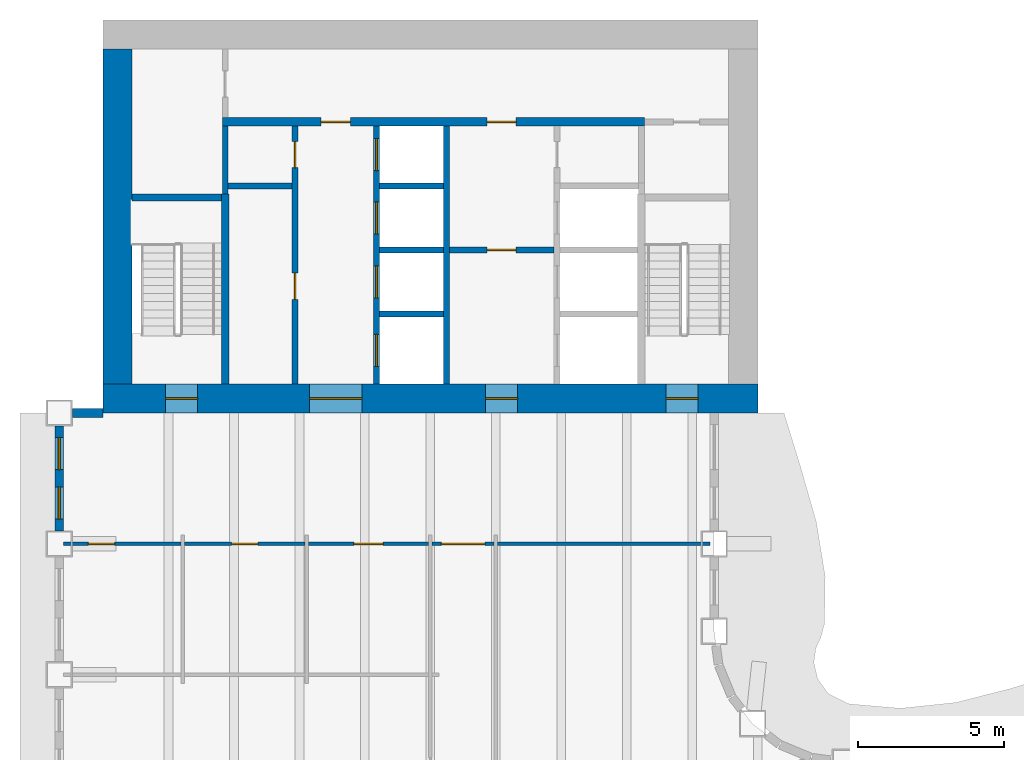
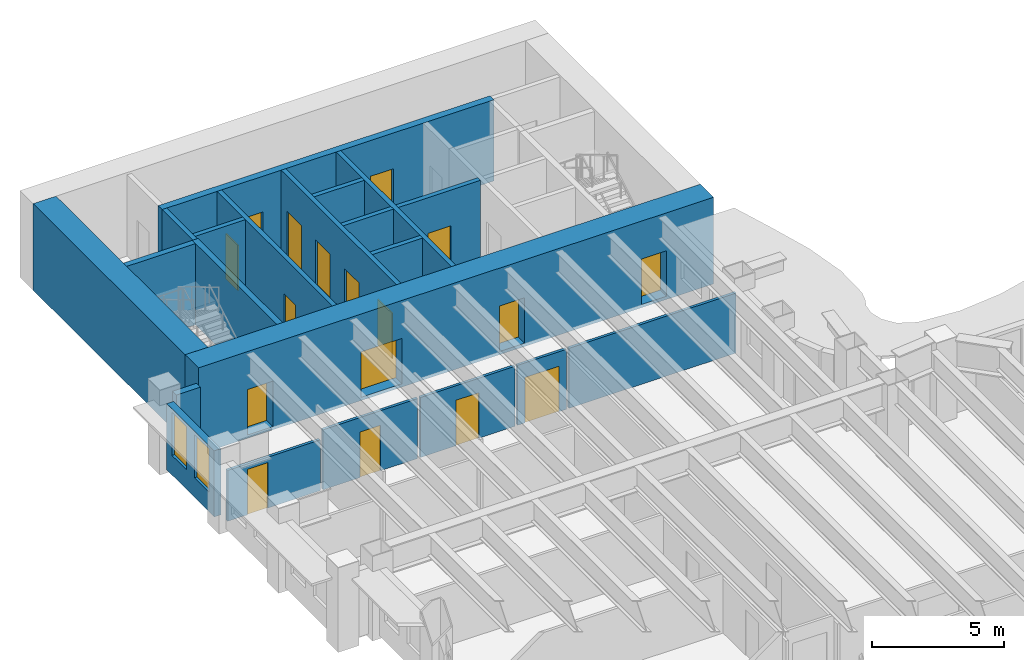
# One storey, part 8 of 16: 21 walls, 17 doors, 2 windows, 19 openings.
"""IFC4 building model written with IfcOpenShell, lengths in metres."""

import ifcopenshell
import ifcopenshell.guid

model = None  # the IFC model being written
_history = None  # IfcOwnerHistory: only IFC2X3 demands one
_inside = {}  # id of a spatial element -> (the spatial element, [elements in it])
_under = {}  # id of a project, library or spatial element -> (it, [spatial elements below it])
_declared = {}  # id of a project -> (the project, [libraries it declares])
_typed = {}  # id of a type object -> (the type object, [elements of that type])
_made_of = {}  # id of a material, layer set ... -> (it, [elements and type objects made of it])


def new_model(schema):
    """Start an empty IFC model of exactly this schema.

    Asked for "IFC4X3", IfcOpenShell would pick the latest addendum, in which some entities
    have other attributes; the version numbers below select the first issue.
    IFC2X3 requires an IfcOwnerHistory on every rooted entity: one is made here for all.
    """
    global model, _history
    if schema == "IFC4X3":
        model = ifcopenshell.file(schema_version=(4, 3, 0, 0))
    else:
        model = ifcopenshell.file(schema=schema)
    _inside.clear()
    _under.clear()
    _declared.clear()
    _typed.clear()
    _made_of.clear()
    _history = None
    if model.schema == "IFC2X3":
        org = make("IfcOrganization", Name="unknown")
        user = make(
            "IfcPersonAndOrganization",
            ThePerson=make("IfcPerson", FamilyName="unknown"),
            TheOrganization=org,
        )
        app = make(
            "IfcApplication",
            ApplicationDeveloper=org,
            Version="unknown",
            ApplicationFullName="unknown",
            ApplicationIdentifier="unknown",
        )
        _history = make(
            "IfcOwnerHistory",
            OwningUser=user,
            OwningApplication=app,
            ChangeAction="ADDED",
            CreationDate=0,
        )
    return model


def make(cls, **values):
    """One entity of the class cls with the attributes given. An attribute that is None is left unset."""
    return model.create_entity(
        cls, **{name: value for name, value in values.items() if value is not None}
    )


def rooted(cls, **values):
    """An entity with a GlobalId (a new one), such as an element, a storey or a relation."""
    return make(cls, GlobalId=ifcopenshell.guid.new(), OwnerHistory=_history, **values)


def si_unit(unit_type, name, prefix=None):
    """IfcSIUnit, for example si_unit("LENGTHUNIT", "METRE", prefix="MILLI")."""
    return make("IfcSIUnit", UnitType=unit_type, Prefix=prefix, Name=name)


def assignment(units):
    """IfcUnitAssignment: the units of a project."""
    return None if units is None else make("IfcUnitAssignment", Units=units)


def point(xyz):
    """IfcCartesianPoint."""
    return None if xyz is None else make("IfcCartesianPoint", Coordinates=xyz)


def direction(xyz):
    """IfcDirection."""
    return None if xyz is None else make("IfcDirection", DirectionRatios=xyz)


def frame(location, z_axis=None, x_axis=None):
    """IfcAxis2Placement3D, a coordinate frame: its origin and axes. An axis left out is left unset."""
    return make(
        "IfcAxis2Placement3D",
        Location=point(location),
        Axis=direction(z_axis),
        RefDirection=direction(x_axis),
    )


def frame_2d(location, x_axis=None):
    """IfcAxis2Placement2D, a coordinate frame in the plane: its origin and x axis."""
    return make(
        "IfcAxis2Placement2D", Location=point(location), RefDirection=direction(x_axis)
    )


def origin():
    """The frame at (0, 0, 0) with its axes left unset."""
    return frame((0.0, 0.0, 0.0))


def place(relative_to, where):
    """IfcLocalPlacement: puts the frame where relative to a parent placement (None: the world)."""
    return make(
        "IfcLocalPlacement", PlacementRelTo=relative_to, RelativePlacement=where
    )


def context(
    kind, dimensions, precision=None, world=None, true_north=None, identifier=None
):
    """IfcGeometricRepresentationContext, for example the 3D "Model" context."""
    return make(
        "IfcGeometricRepresentationContext",
        ContextIdentifier=identifier,
        ContextType=kind,
        CoordinateSpaceDimension=dimensions,
        Precision=precision,
        WorldCoordinateSystem=world,
        TrueNorth=true_north,
    )


def subcontext(parent, identifier, kind, view, scale=None):
    """IfcGeometricRepresentationSubContext, for example "Body" below "Model"."""
    return make(
        "IfcGeometricRepresentationSubContext",
        ContextIdentifier=identifier,
        ContextType=kind,
        ParentContext=parent,
        TargetScale=scale,
        TargetView=view,
    )


def project(units=None, contexts=None):
    """IfcProject with its units and contexts."""
    return rooted(
        "IfcProject",
        Name="project",
        RepresentationContexts=contexts,
        UnitsInContext=assignment(units),
    )


def spatial(cls, under=None, at=None, **own):
    """A site, building, storey or space (cls), placed at a placement, below another one or the project."""
    s = rooted(cls, ObjectPlacement=at, **own)
    if under is not None:
        _under.setdefault(under.id(), (under, []))[1].append(s)
    return s


def profile(cls, at=None, kind="AREA", **sizes):
    """A parametric profile (cls). Its sizes go by their IFC names, for example OverallWidth=200.0."""
    return make(cls, ProfileType=kind, Position=at, **sizes)


def rectangle(**sizes):
    """IfcRectangleProfileDef."""
    return profile("IfcRectangleProfileDef", **sizes)


def extrude(swept, where, along, depth):
    """IfcExtrudedAreaSolid: the profile swept, set in the frame where, extruded along a direction by depth."""
    return make(
        "IfcExtrudedAreaSolid",
        SweptArea=swept,
        Position=where,
        ExtrudedDirection=direction(along),
        Depth=depth,
    )


def shape(context_of_items, identifier, shape_type, items):
    """IfcShapeRepresentation: the items that make up one representation, for example the "Body"."""
    return make(
        "IfcShapeRepresentation",
        ContextOfItems=context_of_items,
        RepresentationIdentifier=identifier,
        RepresentationType=shape_type,
        Items=items,
    )


def material(Name=None, Category=None):
    """IfcMaterial."""
    return make("IfcMaterial", Name=Name, Category=Category)


def layer(
    of_material, thickness, ventilated=None, Name=None, Category=None, Priority=None
):
    """IfcMaterialLayer: one layer of a wall or slab, of a material (None: an air gap)."""
    return make(
        "IfcMaterialLayer",
        Material=of_material,
        LayerThickness=thickness,
        IsVentilated=ventilated,
        Name=Name,
        Category=Category,
        Priority=Priority,
    )


def layer_set(layers, Name=None):
    """IfcMaterialLayerSet."""
    return make("IfcMaterialLayerSet", MaterialLayers=layers, LayerSetName=Name)


def made_of(thing, what):
    """Note that an element or type object is made of a material, layer set ...; save() writes the relation."""
    if what is not None:
        _made_of.setdefault(what.id(), (what, []))[1].append(thing)
    return thing


def type_object(cls, material=None, **own):
    """A type object (cls), such as IfcWallType, which elements share."""
    return made_of(rooted(cls, **own), material)


def element(
    cls,
    number,
    at=None,
    inside=None,
    cuts=None,
    type_object=None,
    material=None,
    context=None,
    identifier="Body",
    shape_type=None,
    held_by="IfcProductDefinitionShape",
    body=None,
    shapes=None,
    **own,
):
    """One element of the class cls, such as IfcWall. Its Tag is "e" and its number.

    at: its placement. inside: the storey or other place that contains it. cuts: it is an
    opening in that element (IfcRelVoidsElement). A single representation is given by context,
    identifier, shape_type and body (its items); several are given by shapes. held_by: the class
    of the entity that holds the representations. save() writes the other relations.
    """
    e = rooted(cls, Tag="e%d" % number, ObjectPlacement=at, **own)
    if body is not None:
        shapes = [shape(context, identifier, shape_type, body)]
    if shapes is not None:
        e.Representation = make(held_by, Representations=shapes)
    if inside is not None:
        _inside.setdefault(inside.id(), (inside, []))[1].append(e)
    if cuts is not None:
        rooted(
            "IfcRelVoidsElement", RelatingBuildingElement=cuts, RelatedOpeningElement=e
        )
    if type_object is not None:
        _typed.setdefault(type_object.id(), (type_object, []))[1].append(e)
    return made_of(e, material)


def fill(opening, filler):
    """IfcRelFillsElement: the door or window that sits in an opening."""
    return rooted(
        "IfcRelFillsElement",
        RelatingOpeningElement=opening,
        RelatedBuildingElement=filler,
    )


def aggregate(whole, parts):
    """IfcRelAggregates: a whole, such as a stair, and the parts it consists of."""
    return rooted("IfcRelAggregates", RelatingObject=whole, RelatedObjects=parts)


def save(model, path):
    """Write the relations noted so far, then the file.

    IfcRelAggregates (storeys below a building ...), IfcRelContainedInSpatialStructure (elements
    in a storey), IfcRelDefinesByType, IfcRelAssociatesMaterial and IfcRelDeclares: one each for
    every whole, place, type object, material and project.
    """
    for whole, parts in _under.values():
        aggregate(whole, parts)
    for where, things in _inside.values():
        rooted(
            "IfcRelContainedInSpatialStructure",
            RelatedElements=things,
            RelatingStructure=where,
        )
    for kind, things in _typed.values():
        rooted("IfcRelDefinesByType", RelatedObjects=things, RelatingType=kind)
    for what, things in _made_of.values():
        rooted("IfcRelAssociatesMaterial", RelatedObjects=things, RelatingMaterial=what)
    for by, libraries in _declared.values():
        rooted("IfcRelDeclares", RelatingContext=by, RelatedDefinitions=libraries)
    model.write(path)


model = new_model("IFC4")

# Units and contexts
model_context = context("Model", 3, precision=1e-05, world=origin(), true_north=direction((0.0, 1.0)))
body_context = subcontext(model_context, "Body", "Model", "MODEL_VIEW")
ifc_project = project(units=[si_unit("LENGTHUNIT", "METRE"), si_unit("AREAUNIT", "SQUARE_METRE"), si_unit("VOLUMEUNIT", "CUBIC_METRE"), si_unit("PLANEANGLEUNIT", "RADIAN"), si_unit("MASSUNIT", "GRAM", prefix="KILO")], contexts=[model_context])

# Site, building, storey
site_placement = place(None, origin())
site = spatial("IfcSite", under=ifc_project, at=site_placement, CompositionType="ELEMENT")
building_placement = place(site_placement, origin())
building = spatial("IfcBuilding", under=site, at=building_placement, Name="Sennacour Bend Tower", CompositionType="ELEMENT")
storey_placement = place(building_placement, frame((0.0, 0.0, 183.0)))
storey = spatial("IfcBuildingStorey", under=building, at=storey_placement, Name="L42", CompositionType="ELEMENT", Elevation=183.0)

# Wall, openings, doors
ifc_material_1 = material(Name="Concrete C60/75", Category="concrete")
ifc_layer_1 = layer(ifc_material_1, 1.0, Name="Concrete C60/75", Category="concrete")
ifc_layer_set_1 = layer_set([ifc_layer_1], Name="Concrete C60/75")
wall_type_1 = type_object("IfcWallType", Name="Core wall 1000 C60/75", PredefinedType="SHEAR", material=ifc_layer_set_1)
wall_1_placement = place(storey_placement, frame((0.0, 36.5, -0.14990234375), z_axis=(0.0, 0.0, 1.0), x_axis=(1.0, 0.0, 0.0)))
wall_1 = element("IfcWall", 1, at=wall_1_placement, inside=storey, type_object=wall_type_1, Name="Core B wall L42 S", PredefinedType="SHEAR", context=body_context, shape_type="SweptSolid", body=[
    extrude(rectangle(XDim=22.5, YDim=1.0, at=frame_2d((11.25, 0.0))), origin(), (0.0, 0.0, 1.0), 4.0),
])
opening_1_placement = place(wall_1_placement, frame((7.10009765625, 0.0, 0.14990234375)))
opening_1 = element("IfcOpeningElement", 2, at=opening_1_placement, cuts=wall_1, Name="Opening CD", PredefinedType="OPENING", context=body_context, shape_type="SweptSolid", body=[
    extrude(rectangle(XDim=1.800048828125, YDim=2.10009765625, at=frame_2d((0.89990234375, 1.050048828125))), frame((0.0, 0.510009765625, 0.0), z_axis=(0.0, -1.0, 0.0), x_axis=(1.0, 0.0, 0.0)), (0.0, 0.0, 1.0), 1.02001953125),
])
opening_2_placement = place(wall_1_placement, frame((13.14990234375, 0.0, 0.14990234375)))
opening_2 = element("IfcOpeningElement", 3, at=opening_2_placement, cuts=wall_1, Name="Opening FD", PredefinedType="OPENING", context=body_context, shape_type="SweptSolid", body=[
    extrude(rectangle(XDim=1.10009765625, YDim=2.10009765625, at=frame_2d((0.550048828125, 1.050048828125))), frame((0.0, 0.510009765625, 0.0), z_axis=(0.0, -1.0, 0.0), x_axis=(1.0, 0.0, 0.0)), (0.0, 0.0, 1.0), 1.02001953125),
])
opening_3_placement = place(wall_1_placement, frame((2.14990234375, 0.0, 0.14990234375)))
opening_3 = element("IfcOpeningElement", 4, at=opening_3_placement, cuts=wall_1, Name="Opening SD", PredefinedType="OPENING", context=body_context, shape_type="SweptSolid", body=[
    extrude(rectangle(XDim=1.10009765625, YDim=2.10009765625, at=frame_2d((0.550048828125, 1.050048828125))), frame((0.0, 0.510009765625, 0.0), z_axis=(0.0, -1.0, 0.0), x_axis=(1.0, 0.0, 0.0)), (0.0, 0.0, 1.0), 1.02001953125),
])
opening_4_placement = place(wall_1_placement, frame((19.35009765625, 0.0, 0.14990234375)))
opening_4 = element("IfcOpeningElement", 5, at=opening_4_placement, cuts=wall_1, Name="Opening SD", PredefinedType="OPENING", context=body_context, shape_type="SweptSolid", body=[
    extrude(rectangle(XDim=1.10009765625, YDim=2.10009765625, at=frame_2d((0.550048828125, 1.050048828125))), frame((0.0, 0.510009765625, 0.0), z_axis=(0.0, -1.0, 0.0), x_axis=(1.0, 0.0, 0.0)), (0.0, 0.0, 1.0), 1.02001953125),
])
ifc_material_2 = material(Name="Painted steel", Category="steel")
door_type_1 = type_object("IfcDoorType", Name="DR-FFL-1100", OperationType="NOTDEFINED", PredefinedType="DOOR", material=ifc_material_2)
door_1_placement = place(opening_2_placement, origin())
door_1 = element("IfcDoor", 6, at=door_1_placement, inside=storey, type_object=door_type_1, Name="Door", OperationType="SINGLE_SWING_RIGHT", OverallHeight=2.10009765625, OverallWidth=1.10009765625, PredefinedType="DOOR", context=body_context, shape_type="SweptSolid", body=[
    extrude(rectangle(XDim=1.10009765625, YDim=2.10009765625, at=frame_2d((0.550048828125, 1.050048828125))), frame((0.0, 0.02490234375, 0.0), z_axis=(0.0, -1.0, 0.0), x_axis=(1.0, 0.0, 0.0)), (0.0, 0.0, 1.0), 0.050048828125),
])
fill(opening_2, door_1)
door_type_2 = type_object("IfcDoorType", Name="DR-LOBBY-1800", OperationType="NOTDEFINED", PredefinedType="DOOR", material=ifc_material_2)
door_2_placement = place(opening_1_placement, origin())
door_2 = element("IfcDoor", 7, at=door_2_placement, inside=storey, type_object=door_type_2, Name="Door", OperationType="DOUBLE_DOOR_SINGLE_SWING", OverallHeight=2.10009765625, OverallWidth=1.800048828125, PredefinedType="DOOR", context=body_context, shape_type="SweptSolid", body=[
    extrude(rectangle(XDim=1.800048828125, YDim=2.10009765625, at=frame_2d((0.89990234375, 1.050048828125))), frame((0.0, 0.02490234375, 0.0), z_axis=(0.0, -1.0, 0.0), x_axis=(1.0, 0.0, 0.0)), (0.0, 0.0, 1.0), 0.050048828125),
])
fill(opening_1, door_2)
door_type_3 = type_object("IfcDoorType", Name="DR-STAIR-1100", OperationType="NOTDEFINED", PredefinedType="DOOR", material=ifc_material_2)
door_3_placement = place(opening_3_placement, origin())
door_3 = element("IfcDoor", 8, at=door_3_placement, inside=storey, type_object=door_type_3, Name="Door", OperationType="SINGLE_SWING_LEFT", OverallHeight=2.10009765625, OverallWidth=1.10009765625, PredefinedType="DOOR", context=body_context, shape_type="SweptSolid", body=[
    extrude(rectangle(XDim=1.10009765625, YDim=2.10009765625, at=frame_2d((0.550048828125, 1.050048828125))), frame((0.0, 0.02490234375, 0.0), z_axis=(0.0, -1.0, 0.0), x_axis=(1.0, 0.0, 0.0)), (0.0, 0.0, 1.0), 0.050048828125),
])
fill(opening_3, door_3)
door_4_placement = place(opening_4_placement, origin())
door_4 = element("IfcDoor", 9, at=door_4_placement, inside=storey, type_object=door_type_3, Name="Door", OperationType="SINGLE_SWING_RIGHT", OverallHeight=2.10009765625, OverallWidth=1.10009765625, PredefinedType="DOOR", context=body_context, shape_type="SweptSolid", body=[
    extrude(rectangle(XDim=1.10009765625, YDim=2.10009765625, at=frame_2d((0.550048828125, 1.050048828125))), frame((0.0, 0.02490234375, 0.0), z_axis=(0.0, -1.0, 0.0), x_axis=(1.0, 0.0, 0.0)), (0.0, 0.0, 1.0), 0.050048828125),
])
fill(opening_4, door_4)

# Wall
wall_2_placement = place(storey_placement, frame((0.5, 37.0, -0.14990234375), z_axis=(0.0, 0.0, 1.0), x_axis=(0.0, 1.0, 0.0)))
element("IfcWall", 10, at=wall_2_placement, inside=storey, type_object=wall_type_1, Name="Core B wall L42 W", PredefinedType="SHEAR", context=body_context, shape_type="SweptSolid", body=[
    extrude(rectangle(XDim=11.5, YDim=1.0, at=frame_2d((5.75, 0.0))), origin(), (0.0, 0.0, 1.0), 4.0),
])

# Wall, opening, door
ifc_material_3 = material(Name="Plasterboard partition on steel studs", Category="steel")
ifc_layer_2 = layer(ifc_material_3, 0.1201171875, Name="Plasterboard partition on steel studs", Category="steel")
ifc_layer_set_2 = layer_set([ifc_layer_2], Name="Plasterboard partition on steel studs")
wall_type_2 = type_object("IfcWallType", Name="Partition 120", PredefinedType="PARTITIONING", material=ifc_layer_set_2)
wall_3_placement = place(storey_placement, frame((-1.35009765625, 31.5, 0.0), z_axis=(0.0, 0.0, 1.0), x_axis=(1.0, 0.0, 0.0)))
wall_3 = element("IfcWall", 11, at=wall_3_placement, inside=storey, type_object=wall_type_2, Name="P-L42-W077aa", PredefinedType="PARTITIONING", context=body_context, shape_type="SweptSolid", body=[
    extrude(rectangle(XDim=4.0400390625, YDim=0.1201171875, at=frame_2d((2.02001953125, 0.0))), origin(), (0.0, 0.0, 1.0), 2.35009765625),
])
opening_5_placement = place(wall_3_placement, frame((0.85009765625, 0.0, 0.0)))
opening_5 = element("IfcOpeningElement", 12, at=opening_5_placement, cuts=wall_3, Name="Opening WD", PredefinedType="OPENING", context=body_context, shape_type="SweptSolid", body=[
    extrude(rectangle(XDim=0.89990234375, YDim=2.10009765625, at=frame_2d((0.449951171875, 1.050048828125))), frame((0.0, 0.070068359375, 0.0), z_axis=(0.0, -1.0, 0.0), x_axis=(1.0, 0.0, 0.0)), (0.0, 0.0, 1.0), 0.14013671875),
])
ifc_material_4 = material(Name="Timber", Category="wood")
door_type_4 = type_object("IfcDoorType", Name="DR-WC-900", OperationType="NOTDEFINED", PredefinedType="DOOR", material=ifc_material_4)
door_5_placement = place(opening_5_placement, origin())
door_5 = element("IfcDoor", 13, at=door_5_placement, inside=storey, type_object=door_type_4, Name="Door", OperationType="SINGLE_SWING_LEFT", OverallHeight=2.10009765625, OverallWidth=0.89990234375, PredefinedType="DOOR", context=body_context, shape_type="SweptSolid", body=[
    extrude(rectangle(XDim=0.89990234375, YDim=2.10009765625, at=frame_2d((0.449951171875, 1.050048828125))), frame((0.0, 0.02490234375, 0.0), z_axis=(0.0, -1.0, 0.0), x_axis=(1.0, 0.0, 0.0)), (0.0, 0.0, 1.0), 0.050048828125),
])
fill(opening_5, door_5)

wall_4_placement = place(storey_placement, frame((2.81005859375, 31.5, 0.0), z_axis=(0.0, 0.0, 1.0), x_axis=(1.0, 0.0, 0.0)))
wall_4 = element("IfcWall", 14, at=wall_4_placement, inside=storey, type_object=wall_type_2, Name="P-L42-W077ab", PredefinedType="PARTITIONING", context=body_context, shape_type="SweptSolid", body=[
    extrude(rectangle(XDim=4.1298828125, YDim=0.1201171875, at=frame_2d((2.06494140625, 0.0))), origin(), (0.0, 0.0, 1.0), 2.77001953125),
])
opening_6_placement = place(wall_4_placement, frame((1.614990234375, 0.0, 0.0)))
opening_6 = element("IfcOpeningElement", 15, at=opening_6_placement, cuts=wall_4, Name="Opening WD", PredefinedType="OPENING", context=body_context, shape_type="SweptSolid", body=[
    extrude(rectangle(XDim=0.89990234375, YDim=2.10009765625, at=frame_2d((0.449951171875, 1.050048828125))), frame((0.0, 0.070068359375, 0.0), z_axis=(0.0, -1.0, 0.0), x_axis=(1.0, 0.0, 0.0)), (0.0, 0.0, 1.0), 0.14013671875),
])
door_6_placement = place(opening_6_placement, origin())
door_6 = element("IfcDoor", 16, at=door_6_placement, inside=storey, type_object=door_type_4, Name="Door", OperationType="SINGLE_SWING_LEFT", OverallHeight=2.10009765625, OverallWidth=0.89990234375, PredefinedType="DOOR", context=body_context, shape_type="SweptSolid", body=[
    extrude(rectangle(XDim=0.89990234375, YDim=2.10009765625, at=frame_2d((0.449951171875, 1.050048828125))), frame((0.0, 0.02490234375, 0.0), z_axis=(0.0, -1.0, 0.0), x_axis=(1.0, 0.0, 0.0)), (0.0, 0.0, 1.0), 0.050048828125),
])
fill(opening_6, door_6)

wall_5_placement = place(storey_placement, frame((7.06005859375, 31.5, 0.0), z_axis=(0.0, 0.0, 1.0), x_axis=(1.0, 0.0, 0.0)))
wall_5 = element("IfcWall", 17, at=wall_5_placement, inside=storey, type_object=wall_type_2, Name="P-L42-W077ac", PredefinedType="PARTITIONING", context=body_context, shape_type="SweptSolid", body=[
    extrude(rectangle(XDim=4.1298828125, YDim=0.1201171875, at=frame_2d((2.06494140625, 0.0))), origin(), (0.0, 0.0, 1.0), 2.77001953125),
])
opening_7_placement = place(wall_5_placement, frame((1.56494140625, 0.0, 0.0)))
opening_7 = element("IfcOpeningElement", 18, at=opening_7_placement, cuts=wall_5, Name="Opening AD", PredefinedType="OPENING", context=body_context, shape_type="SweptSolid", body=[
    extrude(rectangle(XDim=1.0, YDim=2.10009765625, at=frame_2d((0.5, 1.050048828125))), frame((0.0, 0.070068359375, 0.0), z_axis=(0.0, -1.0, 0.0), x_axis=(1.0, 0.0, 0.0)), (0.0, 0.0, 1.0), 0.14013671875),
])
door_type_5 = type_object("IfcDoorType", Name="DR-ACC-WC-1000", OperationType="NOTDEFINED", PredefinedType="DOOR", material=ifc_material_4)
door_7_placement = place(opening_7_placement, origin())
door_7 = element("IfcDoor", 19, at=door_7_placement, inside=storey, type_object=door_type_5, Name="Door", OperationType="SINGLE_SWING_LEFT", OverallHeight=2.10009765625, OverallWidth=1.0, PredefinedType="DOOR", context=body_context, shape_type="SweptSolid", body=[
    extrude(rectangle(XDim=1.0, YDim=2.10009765625, at=frame_2d((0.5, 1.050048828125))), frame((0.0, 0.02490234375, 0.0), z_axis=(0.0, -1.0, 0.0), x_axis=(1.0, 0.0, 0.0)), (0.0, 0.0, 1.0), 0.050048828125),
])
fill(opening_7, door_7)

# Wall
wall_6_placement = place(storey_placement, frame((13.56005859375, 31.5, 0.0), z_axis=(0.0, 0.0, 1.0), x_axis=(1.0, 0.0, 0.0)))
element("IfcWall", 20, at=wall_6_placement, inside=storey, type_object=wall_type_2, Name="P-L42-W077ae", PredefinedType="PARTITIONING", context=body_context, shape_type="SweptSolid", body=[
    extrude(rectangle(XDim=7.2900390625, YDim=0.1201171875, at=frame_2d((3.64501953125, 0.0))), origin(), (0.0, 0.0, 1.0), 2.77001953125),
])

# Wall, opening, door
ifc_layer_3 = layer(ifc_material_3, 0.1201171875, Name="Plasterboard partition on steel studs", Category="steel")
ifc_layer_set_3 = layer_set([ifc_layer_3], Name="Plasterboard partition on steel studs")
wall_type_3 = type_object("IfcWallType", Name="Partition 120 EI 30", PredefinedType="PARTITIONING", material=ifc_layer_set_3)
wall_7_placement = place(storey_placement, frame((11.31005859375, 31.5, 0.0), z_axis=(0.0, 0.0, 1.0), x_axis=(1.0, 0.0, 0.0)))
wall_7 = element("IfcWall", 21, at=wall_7_placement, inside=storey, type_object=wall_type_3, Name="P-L42-W077ad", PredefinedType="PARTITIONING", context=body_context, shape_type="SweptSolid", body=[
    extrude(rectangle(XDim=2.1298828125, YDim=0.1201171875, at=frame_2d((1.06494140625, 0.0))), origin(), (0.0, 0.0, 1.0), 2.77001953125),
])
opening_8_placement = place(wall_7_placement, frame((0.31494140625, 0.0, 0.0)))
opening_8 = element("IfcOpeningElement", 22, at=opening_8_placement, cuts=wall_7, Name="Opening KD", PredefinedType="OPENING", context=body_context, shape_type="SweptSolid", body=[
    extrude(rectangle(XDim=1.5, YDim=2.10009765625, at=frame_2d((0.75, 1.050048828125))), frame((0.0, 0.070068359375, 0.0), z_axis=(0.0, -1.0, 0.0), x_axis=(1.0, 0.0, 0.0)), (0.0, 0.0, 1.0), 0.14013671875),
])
door_type_6 = type_object("IfcDoorType", Name="DR-CORRIDOR-1500", OperationType="NOTDEFINED", PredefinedType="DOOR", material=ifc_material_2)
door_8_placement = place(opening_8_placement, origin())
door_8 = element("IfcDoor", 23, at=door_8_placement, inside=storey, type_object=door_type_6, Name="Door", OperationType="SINGLE_SWING_LEFT", OverallHeight=2.10009765625, OverallWidth=1.5, PredefinedType="DOOR", context=body_context, shape_type="SweptSolid", body=[
    extrude(rectangle(XDim=1.5, YDim=2.10009765625, at=frame_2d((0.75, 1.050048828125))), frame((0.0, 0.02490234375, 0.0), z_axis=(0.0, -1.0, 0.0), x_axis=(1.0, 0.0, 0.0)), (0.0, 0.0, 1.0), 0.050048828125),
])
fill(opening_8, door_8)

# Wall
ifc_material_5 = material(Name="Fire-rated plasterboard partition on steel studs", Category="steel")
ifc_layer_4 = layer(ifc_material_5, 0.199951171875, Name="Fire-rated plasterboard partition on steel studs", Category="steel")
ifc_layer_set_4 = layer_set([ifc_layer_4], Name="Fire-rated plasterboard partition on steel studs")
wall_type_4 = type_object("IfcWallType", Name="Rated partition 200", PredefinedType="PARTITIONING", material=ifc_layer_set_4)
wall_8_placement = place(storey_placement, frame((4.199951171875, 43.52490234375, 0.0), z_axis=(0.0, 0.0, 1.0), x_axis=(0.0, 1.0, 0.0)))
element("IfcWall", 24, at=wall_8_placement, inside=storey, type_object=wall_type_4, Name="P-L42-W006a", PredefinedType="PARTITIONING", context=body_context, shape_type="SweptSolid", body=[
    extrude(rectangle(XDim=2.3251953125, YDim=0.199951171875, at=frame_2d((1.16259765625, 0.0))), origin(), (0.0, 0.0, 1.0), 3.75),
])

# Wall, openings, doors
wall_9_placement = place(storey_placement, frame((6.60009765625, 37.0, 0.0), z_axis=(0.0, 0.0, 1.0), x_axis=(0.0, 1.0, 0.0)))
wall_9 = element("IfcWall", 25, at=wall_9_placement, inside=storey, type_object=wall_type_4, Name="P-L42-W007", PredefinedType="PARTITIONING", context=body_context, shape_type="SweptSolid", body=[
    extrude(rectangle(XDim=8.85009765625, YDim=0.199951171875, at=frame_2d((4.425048828125, 0.0))), origin(), (0.0, 0.0, 1.0), 3.75),
])
opening_9_placement = place(wall_9_placement, frame((2.89990234375, 0.0, 0.0)))
opening_9 = element("IfcOpeningElement", 26, at=opening_9_placement, cuts=wall_9, Name="Opening SV", PredefinedType="OPENING", context=body_context, shape_type="SweptSolid", body=[
    extrude(rectangle(XDim=0.89990234375, YDim=2.10009765625, at=frame_2d((0.449951171875, 1.050048828125))), frame((0.0, 0.10986328125, 0.0), z_axis=(0.0, -1.0, 0.0), x_axis=(1.0, 0.0, 0.0)), (0.0, 0.0, 1.0), 0.219970703125),
])
opening_10_placement = place(wall_9_placement, frame((7.425048828125, 0.0, 0.0)))
opening_10 = element("IfcOpeningElement", 27, at=opening_10_placement, cuts=wall_9, Name="Opening SV", PredefinedType="OPENING", context=body_context, shape_type="SweptSolid", body=[
    extrude(rectangle(XDim=0.89990234375, YDim=2.10009765625, at=frame_2d((0.449951171875, 1.050048828125))), frame((0.0, 0.10986328125, 0.0), z_axis=(0.0, -1.0, 0.0), x_axis=(1.0, 0.0, 0.0)), (0.0, 0.0, 1.0), 0.219970703125),
])
door_type_7 = type_object("IfcDoorType", Name="DR-SERVICE-900", OperationType="NOTDEFINED", PredefinedType="DOOR", material=ifc_material_2)
door_9_placement = place(opening_9_placement, origin())
door_9 = element("IfcDoor", 28, at=door_9_placement, inside=storey, type_object=door_type_7, Name="Door", OperationType="SINGLE_SWING_LEFT", OverallHeight=2.10009765625, OverallWidth=0.89990234375, PredefinedType="DOOR", context=body_context, shape_type="SweptSolid", body=[
    extrude(rectangle(XDim=0.89990234375, YDim=2.10009765625, at=frame_2d((0.449951171875, 1.050048828125))), frame((0.0, 0.02490234375, 0.0), z_axis=(0.0, -1.0, 0.0), x_axis=(1.0, 0.0, 0.0)), (0.0, 0.0, 1.0), 0.050048828125),
])
fill(opening_9, door_9)
door_10_placement = place(opening_10_placement, origin())
door_10 = element("IfcDoor", 29, at=door_10_placement, inside=storey, type_object=door_type_7, Name="Door", OperationType="SINGLE_SWING_RIGHT", OverallHeight=2.10009765625, OverallWidth=0.89990234375, PredefinedType="DOOR", context=body_context, shape_type="SweptSolid", body=[
    extrude(rectangle(XDim=0.89990234375, YDim=2.10009765625, at=frame_2d((0.449951171875, 1.050048828125))), frame((0.0, 0.02490234375, 0.0), z_axis=(0.0, -1.0, 0.0), x_axis=(1.0, 0.0, 0.0)), (0.0, 0.0, 1.0), 0.050048828125),
])
fill(opening_10, door_10)

# Wall
wall_10_placement = place(storey_placement, frame((4.300048828125, 43.800048828125, 0.0), z_axis=(0.0, 0.0, 1.0), x_axis=(1.0, 0.0, 0.0)))
element("IfcWall", 30, at=wall_10_placement, inside=storey, type_object=wall_type_4, Name="P-L42-W086", PredefinedType="PARTITIONING", context=body_context, shape_type="SweptSolid", body=[
    extrude(rectangle(XDim=2.199951171875, YDim=0.199951171875, at=frame_2d((1.10009765625, 0.0))), origin(), (0.0, 0.0, 1.0), 3.75),
])

# Wall, opening, door
ifc_layer_5 = layer(ifc_material_5, 0.199951171875, Name="Fire-rated plasterboard partition on steel studs", Category="steel")
ifc_layer_set_5 = layer_set([ifc_layer_5], Name="Fire-rated plasterboard partition on steel studs")
wall_type_5 = type_object("IfcWallType", Name="Rated partition 200 EI 90", PredefinedType="PARTITIONING", material=ifc_layer_set_5)
wall_11_placement = place(storey_placement, frame((11.89990234375, 41.60009765625, 0.0), z_axis=(0.0, 0.0, 1.0), x_axis=(1.0, 0.0, 0.0)))
wall_11 = element("IfcWall", 31, at=wall_11_placement, inside=storey, type_object=wall_type_5, Name="P-L42-W082", PredefinedType="PARTITIONING", context=body_context, shape_type="SweptSolid", body=[
    extrude(rectangle(XDim=3.60009765625, YDim=0.199951171875, at=frame_2d((1.800048828125, 0.0))), origin(), (0.0, 0.0, 1.0), 3.75),
])
opening_11_placement = place(wall_11_placement, frame((1.300048828125, 0.0, 0.0)))
opening_11 = element("IfcOpeningElement", 32, at=opening_11_placement, cuts=wall_11, Name="Opening FD2", PredefinedType="OPENING", context=body_context, shape_type="SweptSolid", body=[
    extrude(rectangle(XDim=1.0, YDim=2.10009765625, at=frame_2d((0.5, 1.050048828125))), frame((0.0, 0.10986328125, 0.0), z_axis=(0.0, -1.0, 0.0), x_axis=(1.0, 0.0, 0.0)), (0.0, 0.0, 1.0), 0.219970703125),
])
door_type_8 = type_object("IfcDoorType", Name="DR-FFL-1000", OperationType="NOTDEFINED", PredefinedType="DOOR", material=ifc_material_2)
door_11_placement = place(opening_11_placement, origin())
door_11 = element("IfcDoor", 33, at=door_11_placement, inside=storey, type_object=door_type_8, Name="Door", OperationType="SINGLE_SWING_RIGHT", OverallHeight=2.10009765625, OverallWidth=1.0, PredefinedType="DOOR", context=body_context, shape_type="SweptSolid", body=[
    extrude(rectangle(XDim=1.0, YDim=2.10009765625, at=frame_2d((0.5, 1.050048828125))), frame((0.0, 0.02490234375, 0.0), z_axis=(0.0, -1.0, 0.0), x_axis=(1.0, 0.0, 0.0)), (0.0, 0.0, 1.0), 0.050048828125),
])
fill(opening_11, door_11)

# Wall
ifc_material_6 = material(Name="Warm limestone cladding", Category="masonry")
ifc_layer_6 = layer(ifc_material_6, 0.050048828125, Name="Warm limestone cladding", Category="masonry")
ifc_material_7 = material(Name="Precast concrete C40/50", Category="concrete")
ifc_layer_7 = layer(ifc_material_7, 0.25, Name="Precast concrete C40/50", Category="concrete")
ifc_layer_set_6 = layer_set([ifc_layer_6, ifc_layer_7], Name="Precast concrete C40/50 with limestone cladding")
wall_type_6 = type_object("IfcWallType", Name="STONE-CLAD PRECAST SPANDREL 300", PredefinedType="STANDARD", material=ifc_layer_set_6)
wall_12_placement = place(storey_placement, frame((0.0, 36.0, 0.0), z_axis=(0.0, 0.0, 1.0), x_axis=(-1.0, 0.0, 0.0)))
element("IfcWall", 34, at=wall_12_placement, inside=storey, type_object=wall_type_6, Name="Stone spandrel and pier wall L42 20.00", PredefinedType="STANDARD", context=body_context, shape_type="SweptSolid", body=[
    extrude(rectangle(XDim=1.050048828125, YDim=0.300048828125, at=frame_2d((0.52490234375, 0.0))), origin(), (0.0, 0.0, 1.0), 3.049072265625),
])

# Wall, openings, windows
wall_13_placement = place(storey_placement, frame((-1.5, 35.550048828125, 0.0), z_axis=(0.0, 0.0, 1.0), x_axis=(0.0, -1.0, 0.0)))
wall_13 = element("IfcWall", 35, at=wall_13_placement, inside=storey, type_object=wall_type_6, Name="Stone spandrel and pier wall L42 21.00", PredefinedType="STANDARD", context=body_context, shape_type="SweptSolid", body=[
    extrude(rectangle(XDim=3.60009765625, YDim=0.300048828125, at=frame_2d((1.800048828125, 0.0))), origin(), (0.0, 0.0, 1.0), 3.049072265625),
])
opening_12_placement = place(wall_13_placement, frame((0.39990234375, 0.0, 0.89990234375)))
opening_12 = element("IfcOpeningElement", 36, at=opening_12_placement, cuts=wall_13, Name="Opening W19", PredefinedType="OPENING", context=body_context, shape_type="SweptSolid", body=[
    extrude(rectangle(XDim=1.10009765625, YDim=2.0, at=frame_2d((0.550048828125, 1.0))), frame((0.0, 0.16015625, 0.0), z_axis=(0.0, -1.0, 0.0), x_axis=(1.0, 0.0, 0.0)), (0.0, 0.0, 1.0), 0.320068359375),
])
opening_13_placement = place(wall_13_placement, frame((2.10009765625, 0.0, 0.89990234375)))
opening_13 = element("IfcOpeningElement", 37, at=opening_13_placement, cuts=wall_13, Name="Opening W19", PredefinedType="OPENING", context=body_context, shape_type="SweptSolid", body=[
    extrude(rectangle(XDim=1.10009765625, YDim=2.0, at=frame_2d((0.550048828125, 1.0))), frame((0.0, 0.16015625, 0.0), z_axis=(0.0, -1.0, 0.0), x_axis=(1.0, 0.0, 0.0)), (0.0, 0.0, 1.0), 0.320068359375),
])
ifc_material_8 = material(Name="Clear low-emissivity glass", Category="glass")
window_type = type_object("IfcWindowType", Name="WIN-RIBBON-1100x2000", PartitioningType="SINGLE_PANEL", PredefinedType="WINDOW", material=ifc_material_8)
window_1_placement = place(opening_12_placement, origin())
window_1 = element("IfcWindow", 38, at=window_1_placement, inside=storey, type_object=window_type, Name="Ribbon window L42 21.00.0", OverallHeight=2.0, OverallWidth=1.10009765625, PartitioningType="SINGLE_PANEL", PredefinedType="WINDOW", context=body_context, shape_type="SweptSolid", body=[
    extrude(rectangle(XDim=1.10009765625, YDim=2.0, at=frame_2d((0.550048828125, 1.0))), frame((0.0, 0.030029296875, 0.0), z_axis=(0.0, -1.0, 0.0), x_axis=(1.0, 0.0, 0.0)), (0.0, 0.0, 1.0), 0.06005859375),
])
fill(opening_12, window_1)
window_2_placement = place(opening_13_placement, origin())
window_2 = element("IfcWindow", 39, at=window_2_placement, inside=storey, type_object=window_type, Name="Ribbon window L42 21.00.1", OverallHeight=2.0, OverallWidth=1.10009765625, PartitioningType="SINGLE_PANEL", PredefinedType="WINDOW", context=body_context, shape_type="SweptSolid", body=[
    extrude(rectangle(XDim=1.10009765625, YDim=2.0, at=frame_2d((0.550048828125, 1.0))), frame((0.0, 0.030029296875, 0.0), z_axis=(0.0, -1.0, 0.0), x_axis=(1.0, 0.0, 0.0)), (0.0, 0.0, 1.0), 0.06005859375),
])
fill(opening_13, window_2)

# Wall, openings, doors
ifc_material_9 = material(Name="Concrete C50/60", Category="concrete")
ifc_layer_8 = layer(ifc_material_9, 0.199951171875, Name="Concrete C50/60", Category="concrete")
ifc_layer_set_7 = layer_set([ifc_layer_8], Name="Concrete C50/60")
wall_type_7 = type_object("IfcWallType", Name="Shaft wall 200", PredefinedType="SOLIDWALL", material=ifc_layer_set_7)
wall_14_placement = place(storey_placement, frame((9.39990234375, 37.0, 0.0), z_axis=(0.0, 0.0, 1.0), x_axis=(0.0, 1.0, 0.0)))
wall_14 = element("IfcWall", 40, at=wall_14_placement, inside=storey, type_object=wall_type_7, Name="P-L42-W010", PredefinedType="SOLIDWALL", context=body_context, shape_type="SweptSolid", body=[
    extrude(rectangle(XDim=8.85009765625, YDim=0.199951171875, at=frame_2d((4.425048828125, 0.0))), origin(), (0.0, 0.0, 1.0), 3.75),
])
opening_14_placement = place(wall_14_placement, frame((0.60009765625, 0.0, 0.011962890625)))
opening_14 = element("IfcOpeningElement", 41, at=opening_14_placement, cuts=wall_14, Name="Opening LD", PredefinedType="OPENING", context=body_context, shape_type="SweptSolid", body=[
    extrude(rectangle(XDim=1.10009765625, YDim=2.10009765625, at=frame_2d((0.550048828125, 1.050048828125))), frame((0.0, 0.10986328125, 0.0), z_axis=(0.0, -1.0, 0.0), x_axis=(1.0, 0.0, 0.0)), (0.0, 0.0, 1.0), 0.219970703125),
])
opening_15_placement = place(wall_14_placement, frame((2.949951171875, 0.0, 0.011962890625)))
opening_15 = element("IfcOpeningElement", 42, at=opening_15_placement, cuts=wall_14, Name="Opening LD", PredefinedType="OPENING", context=body_context, shape_type="SweptSolid", body=[
    extrude(rectangle(XDim=1.10009765625, YDim=2.10009765625, at=frame_2d((0.550048828125, 1.050048828125))), frame((0.0, 0.10986328125, 0.0), z_axis=(0.0, -1.0, 0.0), x_axis=(1.0, 0.0, 0.0)), (0.0, 0.0, 1.0), 0.219970703125),
])
opening_16_placement = place(wall_14_placement, frame((5.14990234375, 0.0, 0.011962890625)))
opening_16 = element("IfcOpeningElement", 43, at=opening_16_placement, cuts=wall_14, Name="Opening LD", PredefinedType="OPENING", context=body_context, shape_type="SweptSolid", body=[
    extrude(rectangle(XDim=1.10009765625, YDim=2.10009765625, at=frame_2d((0.550048828125, 1.050048828125))), frame((0.0, 0.10986328125, 0.0), z_axis=(0.0, -1.0, 0.0), x_axis=(1.0, 0.0, 0.0)), (0.0, 0.0, 1.0), 0.219970703125),
])
opening_17_placement = place(wall_14_placement, frame((7.324951171875, 0.0, 0.011962890625)))
opening_17 = element("IfcOpeningElement", 44, at=opening_17_placement, cuts=wall_14, Name="Opening LD", PredefinedType="OPENING", context=body_context, shape_type="SweptSolid", body=[
    extrude(rectangle(XDim=1.10009765625, YDim=2.10009765625, at=frame_2d((0.550048828125, 1.050048828125))), frame((0.0, 0.10986328125, 0.0), z_axis=(0.0, -1.0, 0.0), x_axis=(1.0, 0.0, 0.0)), (0.0, 0.0, 1.0), 0.219970703125),
])
ifc_material_10 = material(Name="Stainless steel", Category="steel")
door_type_9 = type_object("IfcDoorType", Name="DR-LANDING-1100", OperationType="NOTDEFINED", PredefinedType="DOOR", material=ifc_material_10)
door_12_placement = place(opening_14_placement, origin())
door_12 = element("IfcDoor", 45, at=door_12_placement, inside=storey, type_object=door_type_9, Name="Lift landing door MB1", OperationType="SLIDING_TO_RIGHT", OverallHeight=2.10009765625, OverallWidth=1.10009765625, PredefinedType="DOOR", context=body_context, shape_type="SweptSolid", body=[
    extrude(rectangle(XDim=1.10009765625, YDim=2.10009765625, at=frame_2d((0.550048828125, 1.050048828125))), frame((0.0, 0.02490234375, 0.0), z_axis=(0.0, -1.0, 0.0), x_axis=(1.0, 0.0, 0.0)), (0.0, 0.0, 1.0), 0.050048828125),
])
fill(opening_14, door_12)
door_13_placement = place(opening_15_placement, origin())
door_13 = element("IfcDoor", 46, at=door_13_placement, inside=storey, type_object=door_type_9, Name="Lift landing door MB2", OperationType="SLIDING_TO_LEFT", OverallHeight=2.10009765625, OverallWidth=1.10009765625, PredefinedType="DOOR", context=body_context, shape_type="SweptSolid", body=[
    extrude(rectangle(XDim=1.10009765625, YDim=2.10009765625, at=frame_2d((0.550048828125, 1.050048828125))), frame((0.0, 0.02490234375, 0.0), z_axis=(0.0, -1.0, 0.0), x_axis=(1.0, 0.0, 0.0)), (0.0, 0.0, 1.0), 0.050048828125),
])
fill(opening_15, door_13)
door_14_placement = place(opening_16_placement, origin())
door_14 = element("IfcDoor", 47, at=door_14_placement, inside=storey, type_object=door_type_9, Name="Lift landing door MB3", OperationType="SLIDING_TO_RIGHT", OverallHeight=2.10009765625, OverallWidth=1.10009765625, PredefinedType="DOOR", context=body_context, shape_type="SweptSolid", body=[
    extrude(rectangle(XDim=1.10009765625, YDim=2.10009765625, at=frame_2d((0.550048828125, 1.050048828125))), frame((0.0, 0.02490234375, 0.0), z_axis=(0.0, -1.0, 0.0), x_axis=(1.0, 0.0, 0.0)), (0.0, 0.0, 1.0), 0.050048828125),
])
fill(opening_16, door_14)
door_15_placement = place(opening_17_placement, origin())
door_15 = element("IfcDoor", 48, at=door_15_placement, inside=storey, type_object=door_type_9, Name="Lift landing door MB4", OperationType="SLIDING_TO_LEFT", OverallHeight=2.10009765625, OverallWidth=1.10009765625, PredefinedType="DOOR", context=body_context, shape_type="SweptSolid", body=[
    extrude(rectangle(XDim=1.10009765625, YDim=2.10009765625, at=frame_2d((0.550048828125, 1.050048828125))), frame((0.0, 0.02490234375, 0.0), z_axis=(0.0, -1.0, 0.0), x_axis=(1.0, 0.0, 0.0)), (0.0, 0.0, 1.0), 0.050048828125),
])
fill(opening_17, door_15)

# Walls
wall_15_placement = place(storey_placement, frame((11.800048828125, 37.0, 0.0), z_axis=(0.0, 0.0, 1.0), x_axis=(0.0, 1.0, 0.0)))
element("IfcWall", 49, at=wall_15_placement, inside=storey, type_object=wall_type_7, Name="P-L42-W012", PredefinedType="SOLIDWALL", context=body_context, shape_type="SweptSolid", body=[
    extrude(rectangle(XDim=8.85009765625, YDim=0.199951171875, at=frame_2d((4.425048828125, 0.0))), origin(), (0.0, 0.0, 1.0), 3.75),
])
for number, where, z_axis, x_axis, name in (
    (50, (9.5, 39.39990234375, 0.0), (0.0, 0.0, 1.0), (1.0, 0.0, 0.0), "P-L42-W079"),
    (51, (9.5, 41.60009765625, 0.0), (0.0, 0.0, 1.0), (1.0, 0.0, 0.0), "P-L42-W081"),
    (52, (9.5, 43.800048828125, 0.0), (0.0, 0.0, 1.0), (1.0, 0.0, 0.0), "P-L42-W087"),
):
    element("IfcWall", number, at=place(storey_placement, frame(where, z_axis=z_axis, x_axis=x_axis)), inside=storey, type_object=wall_type_7, Name=name, PredefinedType="SOLIDWALL", context=body_context, shape_type="SweptSolid", body=[
        extrude(rectangle(XDim=2.199951171875, YDim=0.199951171875, at=frame_2d((1.10009765625, 0.0))), origin(), (0.0, 0.0, 1.0), 3.75),
    ])

# Wall, openings, doors
ifc_layer_9 = layer(ifc_material_1, 0.300048828125, Name="Concrete C60/75", Category="concrete")
ifc_layer_set_8 = layer_set([ifc_layer_9], Name="Concrete C60/75")
wall_type_8 = type_object("IfcWallType", Name="Spine wall 300", PredefinedType="SHEAR", material=ifc_layer_set_8)
wall_16_placement = place(storey_placement, frame((4.10009765625, 46.0, 0.0), z_axis=(0.0, 0.0, 1.0), x_axis=(1.0, 0.0, 0.0)))
wall_16 = element("IfcWall", 53, at=wall_16_placement, inside=storey, type_object=wall_type_8, Name="P-L42-W089", PredefinedType="SHEAR", context=body_context, shape_type="SweptSolid", body=[
    extrude(rectangle(XDim=14.5, YDim=0.300048828125, at=frame_2d((7.25, 0.0))), origin(), (0.0, 0.0, 1.0), 3.75),
])
opening_18_placement = place(wall_16_placement, frame((3.39990234375, 0.0, 0.0)))
opening_18 = element("IfcOpeningElement", 54, at=opening_18_placement, cuts=wall_16, Name="Opening CD2", PredefinedType="OPENING", context=body_context, shape_type="SweptSolid", body=[
    extrude(rectangle(XDim=1.0, YDim=2.10009765625, at=frame_2d((0.5, 1.050048828125))), frame((0.0, 0.16015625, 0.0), z_axis=(0.0, -1.0, 0.0), x_axis=(1.0, 0.0, 0.0)), (0.0, 0.0, 1.0), 0.320068359375),
])
opening_19_placement = place(wall_16_placement, frame((9.099853515625, 0.0, 0.0)))
opening_19 = element("IfcOpeningElement", 55, at=opening_19_placement, cuts=wall_16, Name="Opening CD2", PredefinedType="OPENING", context=body_context, shape_type="SweptSolid", body=[
    extrude(rectangle(XDim=1.0, YDim=2.10009765625, at=frame_2d((0.5, 1.050048828125))), frame((0.0, 0.16015625, 0.0), z_axis=(0.0, -1.0, 0.0), x_axis=(1.0, 0.0, 0.0)), (0.0, 0.0, 1.0), 0.320068359375),
])
door_type_10 = type_object("IfcDoorType", Name="DR-LOBBY-1000", OperationType="NOTDEFINED", PredefinedType="DOOR", material=ifc_material_2)
door_16_placement = place(opening_18_placement, origin())
door_16 = element("IfcDoor", 56, at=door_16_placement, inside=storey, type_object=door_type_10, Name="Door", OperationType="SINGLE_SWING_LEFT", OverallHeight=2.10009765625, OverallWidth=1.0, PredefinedType="DOOR", context=body_context, shape_type="SweptSolid", body=[
    extrude(rectangle(XDim=1.0, YDim=2.10009765625, at=frame_2d((0.5, 1.050048828125))), frame((0.0, 0.02490234375, 0.0), z_axis=(0.0, -1.0, 0.0), x_axis=(1.0, 0.0, 0.0)), (0.0, 0.0, 1.0), 0.050048828125),
])
fill(opening_18, door_16)
door_17_placement = place(opening_19_placement, origin())
door_17 = element("IfcDoor", 57, at=door_17_placement, inside=storey, type_object=door_type_10, Name="Door", OperationType="SINGLE_SWING_RIGHT", OverallHeight=2.10009765625, OverallWidth=1.0, PredefinedType="DOOR", context=body_context, shape_type="SweptSolid", body=[
    extrude(rectangle(XDim=1.0, YDim=2.10009765625, at=frame_2d((0.5, 1.050048828125))), frame((0.0, 0.02490234375, 0.0), z_axis=(0.0, -1.0, 0.0), x_axis=(1.0, 0.0, 0.0)), (0.0, 0.0, 1.0), 0.050048828125),
])
fill(opening_19, door_17)

# Walls
ifc_layer_10 = layer(ifc_material_1, 0.25, Name="Concrete C60/75", Category="concrete")
ifc_layer_set_9 = layer_set([ifc_layer_10], Name="Concrete C60/75")
wall_type_9 = type_object("IfcWallType", Name="Stair wall 250", PredefinedType="SHEAR", material=ifc_layer_set_9)
wall_17_placement = place(storey_placement, frame((4.199951171875, 37.0, 0.0), z_axis=(0.0, 0.0, 1.0), x_axis=(0.0, 1.0, 0.0)))
element("IfcWall", 58, at=wall_17_placement, inside=storey, type_object=wall_type_9, Name="P-L42-W005", PredefinedType="SHEAR", context=body_context, shape_type="SweptSolid", body=[
    extrude(rectangle(XDim=6.52490234375, YDim=0.25, at=frame_2d((3.262451171875, 0.0))), origin(), (0.0, 0.0, 1.0), 3.75),
])
wall_18_placement = place(storey_placement, frame((1.0, 43.39990234375, 0.0), z_axis=(0.0, 0.0, 1.0), x_axis=(1.0, 0.0, 0.0)))
element("IfcWall", 59, at=wall_18_placement, inside=storey, type_object=wall_type_9, Name="P-L42-W084", PredefinedType="SHEAR", context=body_context, shape_type="SweptSolid", body=[
    extrude(rectangle(XDim=3.074951171875, YDim=0.25, at=frame_2d((1.53759765625, 0.0))), origin(), (0.0, 0.0, 1.0), 3.75),
])

save(model, "model.ifc")
